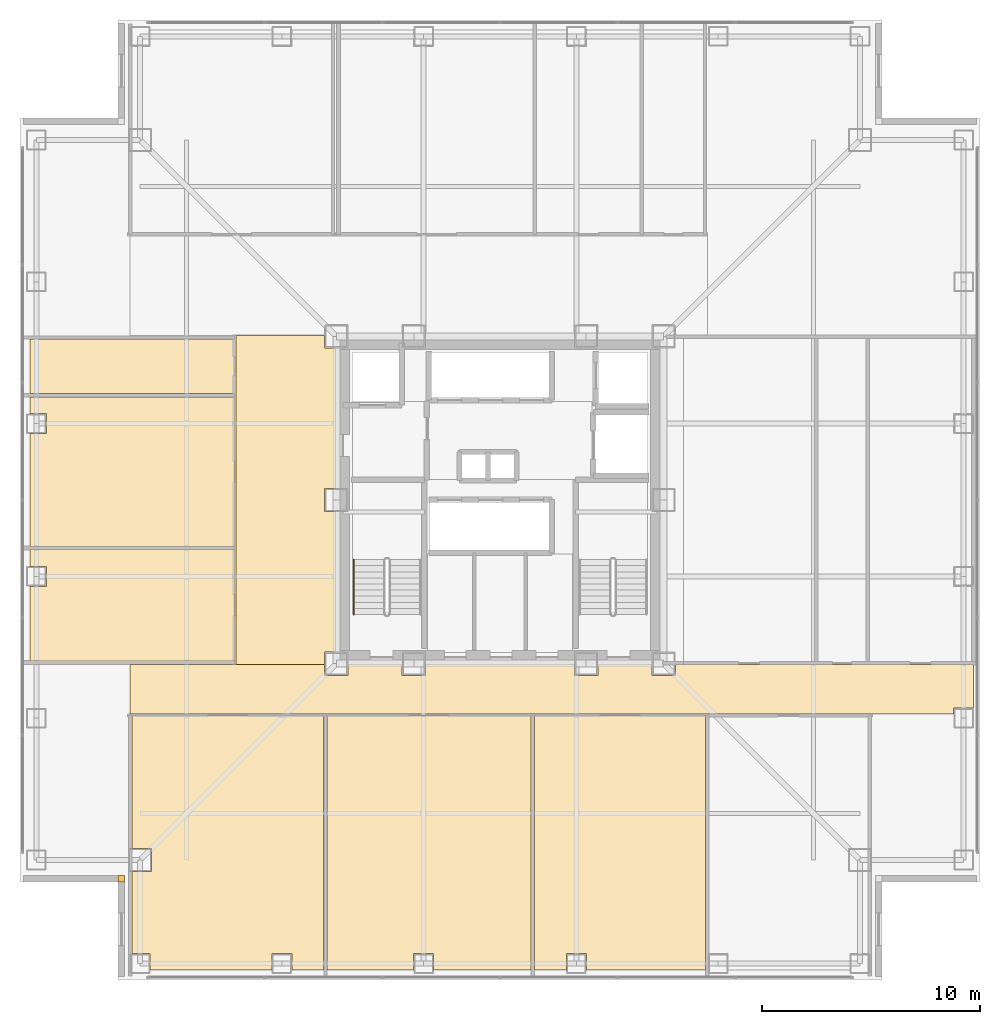
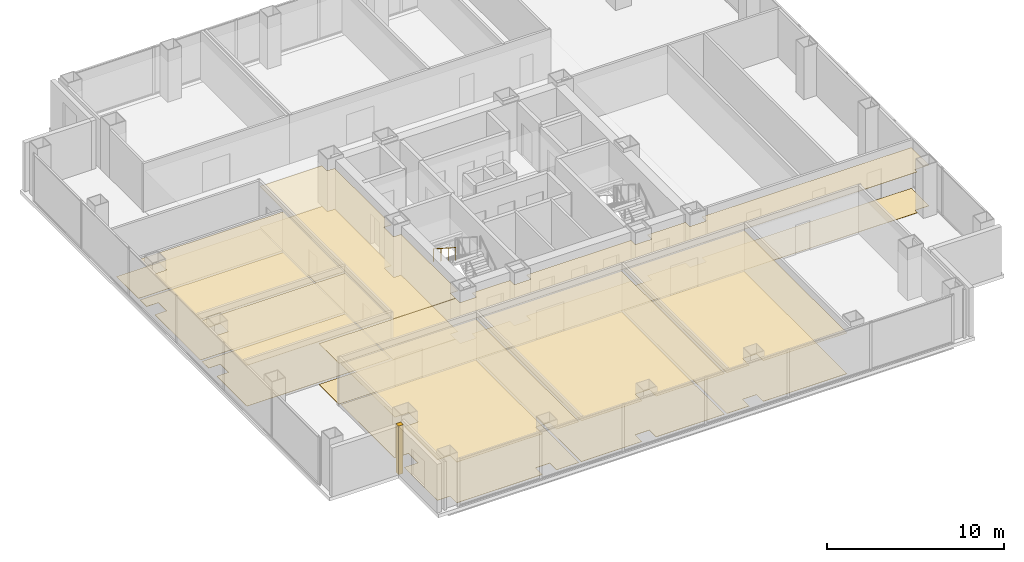
# One storey, part 15 of 17: 16 coverings, 1 railing.
"""IFC4 building model written with IfcOpenShell, lengths in metres."""

from ifc_helpers import new_model, si_unit, direction, frame, origin, origin_2d, place, context, subcontext, project, spatial, polyline, circle, outline, extrude, material, layer, layer_set, type_object, element, save


model = new_model("IFC4")

# Units and contexts
model_context = context("Model", 3, precision=1e-05, world=origin(), true_north=direction((0.0, 1.0)))
body_context = subcontext(model_context, "Body", "Model", "MODEL_VIEW")
ifc_project = project(units=[si_unit("LENGTHUNIT", "METRE"), si_unit("AREAUNIT", "SQUARE_METRE"), si_unit("VOLUMEUNIT", "CUBIC_METRE"), si_unit("PLANEANGLEUNIT", "RADIAN"), si_unit("MASSUNIT", "GRAM", prefix="KILO")], contexts=[model_context])

# Site, building, storey
site_placement = place(None, origin())
site = spatial("IfcSite", under=ifc_project, at=site_placement, CompositionType="ELEMENT")
building_placement = place(site_placement, origin())
building = spatial("IfcBuilding", under=site, at=building_placement, Name="Trevonay Congress Spire", CompositionType="ELEMENT")
storey_placement = place(building_placement, frame((0.0, 0.0, 130.0)))
storey = spatial("IfcBuildingStorey", under=building, at=storey_placement, Name="L33", CompositionType="ELEMENT", Elevation=130.0)

# Coverings
ifc_material_1 = material(Name="Acoustic Mineral Fibre Board", Category="gypsum")
ifc_layer_1 = layer(ifc_material_1, 0.02490234375, Name="Acoustic Mineral Fibre Board")
ifc_layer_set_1 = layer_set([ifc_layer_1], Name="Acoustic Mineral Fibre Board")
covering_type_1 = type_object("IfcCoveringType", Name="COV-CEIL-ACOUSTIC", PredefinedType="CEILING", material=ifc_layer_set_1)
covering_1_placement = place(storey_placement, frame((0.0, 0.0, 2.81005859375)))
element("IfcCovering", 1, at=covering_1_placement, inside=storey, type_object=covering_type_1, Name="L33 Congress South Spine Corridor acoustic suspended ceiling", PredefinedType="CEILING", context=body_context, shape_type="SweptSolid", body=[
    extrude(outline(polyline([(-16.949951171875, -9.800048828125), (-16.949951171875, -7.550048828125), (-8.034912109375, -7.550048828125), (-8.034912109375, -8.034912109375), (-6.965087890625, -8.034912109375), (-6.965087890625, -7.550048828125), (-4.485107421875, -7.550048828125), (-4.485107421875, -8.034912109375), (-3.4150390625, -8.034912109375), (-3.4150390625, -7.550048828125), (3.4150390625, -7.550048828125), (3.4150390625, -8.034912109375), (4.485107421875, -8.034912109375), (4.485107421875, -7.550048828125), (6.965087890625, -7.550048828125), (6.965087890625, -8.034912109375), (8.034912109375, -8.034912109375), (8.034912109375, -7.550048828125), (21.699951171875, -7.550048828125), (21.699951171875, -9.5400390625), (20.7900390625, -9.5400390625), (20.7900390625, -9.800048828125), (-16.949951171875, -9.800048828125)])), origin(), (0.0, 0.0, 1.0), 0.02490234375),
])
covering_2_placement = place(storey_placement, frame((0.0, 0.0, 2.81005859375)))
element("IfcCovering", 2, at=covering_2_placement, inside=storey, type_object=covering_type_1, Name="L33 West Sky Promenade Salon acoustic suspended ceiling", PredefinedType="CEILING", context=body_context, shape_type="SweptSolid", body=[
    extrude(outline(polyline([(-12.10009765625, 7.550048828125), (-8.034912109375, 7.550048828125), (-8.034912109375, 6.965087890625), (-7.550048828125, 6.965087890625), (-7.550048828125, 0.534912109375), (-8.034912109375, 0.534912109375), (-8.034912109375, -0.534912109375), (-7.550048828125, -0.534912109375), (-7.550048828125, -6.965087890625), (-8.034912109375, -6.965087890625), (-8.034912109375, -7.5400390625), (-12.10009765625, -7.5400390625), (-12.10009765625, 7.550048828125)])), origin(), (0.0, 0.0, 1.0), 0.02490234375),
])
covering_3_placement = place(storey_placement, frame((0.0, 0.0, 2.81005859375)))
element("IfcCovering", 3, at=covering_3_placement, inside=storey, type_object=covering_type_1, Name="L33 Diplomatic Academy Lecture Room 1 acoustic suspended ceiling", PredefinedType="CEILING", context=body_context, shape_type="SweptSolid", body=[
    extrude(outline(polyline([(-16.0400390625, -21.550048828125), (-16.0400390625, -20.7900390625), (-16.8701171875, -20.7900390625), (-16.8701171875, -17.034912109375), (-15.965087890625, -17.034912109375), (-15.965087890625, -15.965087890625), (-16.8701171875, -15.965087890625), (-16.8701171875, -9.8798828125), (-8.080078125, -9.8798828125), (-8.080078125, -21.550048828125), (-9.5400390625, -21.550048828125), (-9.5400390625, -20.7900390625), (-10.4599609375, -20.7900390625), (-10.4599609375, -21.550048828125), (-16.0400390625, -21.550048828125)])), origin(), (0.0, 0.0, 1.0), 0.02490234375),
])
covering_4_placement = place(storey_placement, frame((0.0, 0.0, 2.81005859375)))
element("IfcCovering", 4, at=covering_4_placement, inside=storey, type_object=covering_type_1, Name="L33 Language Lab Classroom 2 acoustic suspended ceiling", PredefinedType="CEILING", context=body_context, shape_type="SweptSolid", body=[
    extrude(outline(polyline([(-7.919921875, -21.550048828125), (-7.919921875, -9.8798828125), (1.419921875, -9.8798828125), (1.419921875, -21.550048828125), (-3.0400390625, -21.550048828125), (-3.0400390625, -20.7900390625), (-3.9599609375, -20.7900390625), (-3.9599609375, -21.550048828125), (-7.919921875, -21.550048828125)])), origin(), (0.0, 0.0, 1.0), 0.02490234375),
])
covering_5_placement = place(storey_placement, frame((0.0, 0.0, 2.81005859375)))
element("IfcCovering", 5, at=covering_5_placement, inside=storey, type_object=covering_type_1, Name="L33 Reference Library Reading Hall acoustic suspended ceiling", PredefinedType="CEILING", context=body_context, shape_type="SweptSolid", body=[
    extrude(outline(polyline([(1.580078125, -21.550048828125), (1.580078125, -9.8798828125), (9.419921875, -9.8798828125), (9.419921875, -21.550048828125), (3.9599609375, -21.550048828125), (3.9599609375, -20.7900390625), (3.0400390625, -20.7900390625), (3.0400390625, -21.550048828125), (1.580078125, -21.550048828125)])), origin(), (0.0, 0.0, 1.0), 0.02490234375),
])
covering_6_placement = place(storey_placement, frame((0.0, 0.0, 2.81005859375)))
element("IfcCovering", 6, at=covering_6_placement, inside=storey, type_object=covering_type_1, Name="L33 Faculty Office West acoustic suspended ceiling", PredefinedType="CEILING", context=body_context, shape_type="SweptSolid", body=[
    extrude(outline(polyline([(-21.550048828125, -2.280029296875), (-12.179931640625, -2.280029296875), (-12.179931640625, -7.3701171875), (-21.550048828125, -7.3701171875), (-21.550048828125, -3.9599609375), (-20.7900390625, -3.9599609375), (-20.7900390625, -3.0400390625), (-21.550048828125, -3.0400390625), (-21.550048828125, -2.280029296875)])), origin(), (0.0, 0.0, 1.0), 0.02490234375),
])
covering_7_placement = place(storey_placement, frame((0.0, 0.0, 2.81005859375)))
element("IfcCovering", 7, at=covering_7_placement, inside=storey, type_object=covering_type_1, Name="L33 Tutorial Seminar Room acoustic suspended ceiling", PredefinedType="CEILING", context=body_context, shape_type="SweptSolid", body=[
    extrude(outline(polyline([(-21.550048828125, 4.719970703125), (-12.179931640625, 4.719970703125), (-12.179931640625, -2.1201171875), (-21.550048828125, -2.1201171875), (-21.550048828125, 3.0400390625), (-20.7900390625, 3.0400390625), (-20.7900390625, 3.9599609375), (-21.550048828125, 3.9599609375), (-21.550048828125, 4.719970703125)])), origin(), (0.0, 0.0, 1.0), 0.02490234375),
])
ifc_material_2 = material(Name="Polished Granite Floor Tile", Category="masonry")
ifc_layer_2 = layer(ifc_material_2, 0.02001953125, Name="Polished Granite Floor Tile")
ifc_layer_set_2 = layer_set([ifc_layer_2], Name="Polished Granite Floor Tile")
covering_type_2 = type_object("IfcCoveringType", Name="COV-FLOOR-STONE", PredefinedType="FLOORING", material=ifc_layer_set_2)
covering_8_placement = place(storey_placement, origin())
element("IfcCovering", 8, at=covering_8_placement, inside=storey, type_object=covering_type_2, Name="L33 Congress South Spine Corridor floor finish", PredefinedType="FLOORING", context=body_context, shape_type="SweptSolid", body=[
    extrude(outline(polyline([(-16.949951171875, -9.800048828125), (-16.949951171875, -7.550048828125), (-8.034912109375, -7.550048828125), (-8.034912109375, -8.034912109375), (-6.965087890625, -8.034912109375), (-6.965087890625, -7.550048828125), (-4.485107421875, -7.550048828125), (-4.485107421875, -8.034912109375), (-3.4150390625, -8.034912109375), (-3.4150390625, -7.550048828125), (3.4150390625, -7.550048828125), (3.4150390625, -8.034912109375), (4.485107421875, -8.034912109375), (4.485107421875, -7.550048828125), (6.965087890625, -7.550048828125), (6.965087890625, -8.034912109375), (8.034912109375, -8.034912109375), (8.034912109375, -7.550048828125), (21.699951171875, -7.550048828125), (21.699951171875, -9.5400390625), (20.7900390625, -9.5400390625), (20.7900390625, -9.800048828125), (-16.949951171875, -9.800048828125)])), origin(), (0.0, 0.0, 1.0), 0.02001953125),
])
covering_9_placement = place(storey_placement, origin())
element("IfcCovering", 9, at=covering_9_placement, inside=storey, type_object=covering_type_2, Name="L33 Accessible WC floor finish", PredefinedType="FLOORING", context=body_context, shape_type="SweptSolid", body=[
    extrude(outline(polyline([(-21.550048828125, 4.8798828125), (-12.179931640625, 4.8798828125), (-12.179931640625, 7.3701171875), (-21.550048828125, 7.3701171875), (-21.550048828125, 4.8798828125)])), origin(), (0.0, 0.0, 1.0), 0.02001953125),
])
ifc_material_3 = material(Name="Engineered Oak Flooring", Category="wood")
ifc_layer_3 = layer(ifc_material_3, 0.01806640625, Name="Engineered Oak Flooring")
ifc_layer_set_3 = layer_set([ifc_layer_3], Name="Engineered Oak Flooring")
covering_type_3 = type_object("IfcCoveringType", Name="COV-FLOOR-TIMBER", PredefinedType="FLOORING", material=ifc_layer_set_3)
covering_10_placement = place(storey_placement, origin())
element("IfcCovering", 10, at=covering_10_placement, inside=storey, type_object=covering_type_3, Name="L33 West Sky Promenade Salon floor finish", PredefinedType="FLOORING", context=body_context, shape_type="SweptSolid", body=[
    extrude(outline(polyline([(-12.10009765625, 7.550048828125), (-8.034912109375, 7.550048828125), (-8.034912109375, 6.965087890625), (-7.550048828125, 6.965087890625), (-7.550048828125, 0.534912109375), (-8.034912109375, 0.534912109375), (-8.034912109375, -0.534912109375), (-7.550048828125, -0.534912109375), (-7.550048828125, -6.965087890625), (-8.034912109375, -6.965087890625), (-8.034912109375, -7.5400390625), (-12.10009765625, -7.5400390625), (-12.10009765625, 7.550048828125)])), origin(), (0.0, 0.0, 1.0), 0.01806640625),
])
covering_11_placement = place(storey_placement, origin())
element("IfcCovering", 11, at=covering_11_placement, inside=storey, type_object=covering_type_3, Name="L33 Diplomatic Academy Lecture Room 1 floor finish", PredefinedType="FLOORING", context=body_context, shape_type="SweptSolid", body=[
    extrude(outline(polyline([(-16.0400390625, -21.550048828125), (-16.0400390625, -20.7900390625), (-16.8701171875, -20.7900390625), (-16.8701171875, -17.034912109375), (-15.965087890625, -17.034912109375), (-15.965087890625, -15.965087890625), (-16.8701171875, -15.965087890625), (-16.8701171875, -9.8798828125), (-8.080078125, -9.8798828125), (-8.080078125, -21.550048828125), (-9.5400390625, -21.550048828125), (-9.5400390625, -20.7900390625), (-10.4599609375, -20.7900390625), (-10.4599609375, -21.550048828125), (-16.0400390625, -21.550048828125)])), origin(), (0.0, 0.0, 1.0), 0.01806640625),
])
covering_12_placement = place(storey_placement, origin())
element("IfcCovering", 12, at=covering_12_placement, inside=storey, type_object=covering_type_3, Name="L33 Language Lab Classroom 2 floor finish", PredefinedType="FLOORING", context=body_context, shape_type="SweptSolid", body=[
    extrude(outline(polyline([(-7.919921875, -21.550048828125), (-7.919921875, -9.8798828125), (1.419921875, -9.8798828125), (1.419921875, -21.550048828125), (-3.0400390625, -21.550048828125), (-3.0400390625, -20.7900390625), (-3.9599609375, -20.7900390625), (-3.9599609375, -21.550048828125), (-7.919921875, -21.550048828125)])), origin(), (0.0, 0.0, 1.0), 0.01806640625),
])
covering_13_placement = place(storey_placement, origin())
element("IfcCovering", 13, at=covering_13_placement, inside=storey, type_object=covering_type_3, Name="L33 Reference Library Reading Hall floor finish", PredefinedType="FLOORING", context=body_context, shape_type="SweptSolid", body=[
    extrude(outline(polyline([(1.580078125, -21.550048828125), (1.580078125, -9.8798828125), (9.419921875, -9.8798828125), (9.419921875, -21.550048828125), (3.9599609375, -21.550048828125), (3.9599609375, -20.7900390625), (3.0400390625, -20.7900390625), (3.0400390625, -21.550048828125), (1.580078125, -21.550048828125)])), origin(), (0.0, 0.0, 1.0), 0.01806640625),
])
covering_14_placement = place(storey_placement, origin())
element("IfcCovering", 14, at=covering_14_placement, inside=storey, type_object=covering_type_3, Name="L33 Faculty Office West floor finish", PredefinedType="FLOORING", context=body_context, shape_type="SweptSolid", body=[
    extrude(outline(polyline([(-21.550048828125, -2.280029296875), (-12.179931640625, -2.280029296875), (-12.179931640625, -7.3701171875), (-21.550048828125, -7.3701171875), (-21.550048828125, -3.9599609375), (-20.7900390625, -3.9599609375), (-20.7900390625, -3.0400390625), (-21.550048828125, -3.0400390625), (-21.550048828125, -2.280029296875)])), origin(), (0.0, 0.0, 1.0), 0.01806640625),
])
covering_15_placement = place(storey_placement, origin())
element("IfcCovering", 15, at=covering_15_placement, inside=storey, type_object=covering_type_3, Name="L33 Tutorial Seminar Room floor finish", PredefinedType="FLOORING", context=body_context, shape_type="SweptSolid", body=[
    extrude(outline(polyline([(-21.550048828125, 4.719970703125), (-12.179931640625, 4.719970703125), (-12.179931640625, -2.1201171875), (-21.550048828125, -2.1201171875), (-21.550048828125, 3.0400390625), (-20.7900390625, 3.0400390625), (-20.7900390625, 3.9599609375), (-21.550048828125, 3.9599609375), (-21.550048828125, 4.719970703125)])), origin(), (0.0, 0.0, 1.0), 0.01806640625),
])
ifc_material_4 = material(Name="Pale Anodised Aluminium EN AW-6063-T6", Category="aluminium")
ifc_layer_4 = layer(ifc_material_4, 0.0400390625, Name="Pale Anodised Aluminium EN AW-6063-T6")
ifc_layer_set_4 = layer_set([ifc_layer_4], Name="Pale Anodised Aluminium EN AW-6063-T6")
covering_type_4 = type_object("IfcCoveringType", Name="COV-SPANDREL-PALE-METAL", PredefinedType="CLADDING", material=ifc_layer_set_4)
covering_16_placement = place(storey_placement, origin())
element("IfcCovering", 16, at=covering_16_placement, inside=storey, type_object=covering_type_4, Name="L33 SW re-entrant notch corner closure trim", PredefinedType="CLADDING", context=body_context, shape_type="SweptSolid", body=[
    extrude(outline(polyline([(-17.5, -17.5), (-17.199951171875, -17.5), (-17.199951171875, -17.199951171875), (-17.5, -17.199951171875), (-17.5, -17.5)])), origin(), (0.0, 0.0, 1.0), 3.360107421875),
])

# Railing
railing_type = type_object("IfcRailingType", Name="RAL-STAIR-HANDRAIL", PredefinedType="HANDRAIL", material=ifc_material_4)
railing_placement = place(storey_placement, frame((-6.699951171875, -2.72998046875, 1.97998046875)))
element("IfcRailing", 17, at=railing_placement, inside=storey, type_object=railing_type, Name="L33 ST-1 stair handrail 2", PredefinedType="HANDRAIL", context=body_context, shape_type="SweptSolid", body=[
    extrude(circle(Radius=0.02392578125, at=origin_2d()), frame((0.0, 0.0, 0.8759765625), z_axis=(0.0, -0.841162588446, 0.540782303519), x_axis=(1.0, 0.0, 0.0)), (0.0, 0.0, 1.0), 2.995849609375),
    extrude(circle(Radius=0.02099609375, at=origin_2d()), origin(), (0.0, 0.0, 1.0), 0.851806640625),
    extrude(circle(Radius=0.02099609375, at=origin_2d()), frame((0.0, -0.840087890625, 0.5400390625)), (0.0, 0.0, 1.0), 0.851806640625),
    extrude(circle(Radius=0.02099609375, at=origin_2d()), frame((0.0, -1.679931640625, 1.080078125)), (0.0, 0.0, 1.0), 0.851806640625),
    extrude(circle(Radius=0.02099609375, at=origin_2d()), frame((0.0, -2.52001953125, 1.6201171875)), (0.0, 0.0, 1.0), 0.851806640625),
])

save(model, "model.ifc")
